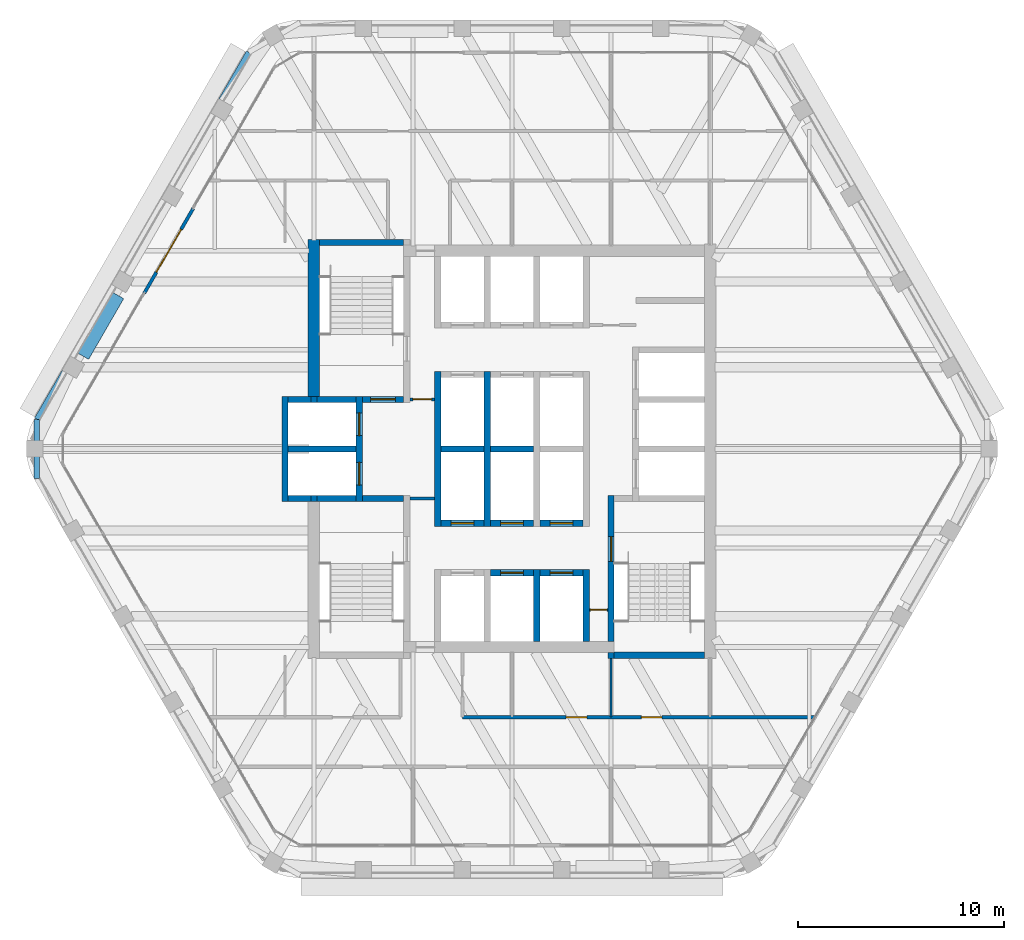
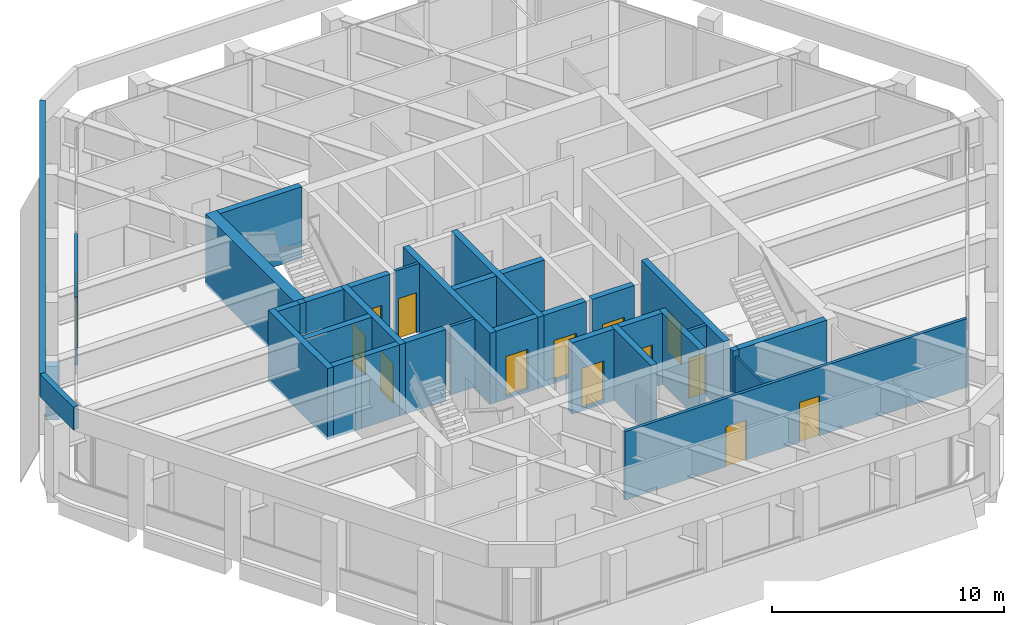
# One storey, part 8 of 14: 36 walls, 14 doors, 14 openings.
"""IFC4 building model written with IfcOpenShell, lengths in metres."""

from ifc_helpers import new_model, si_unit, direction, frame, frame_2d, origin, place, context, subcontext, project, spatial, rectangle, extrude, material, layer, layer_set, type_object, element, fill, save


model = new_model("IFC4")

# Units and contexts
model_context = context("Model", 3, precision=1e-05, world=origin(), true_north=direction((0.0, 1.0)))
body_context = subcontext(model_context, "Body", "Model", "MODEL_VIEW")
ifc_project = project(units=[si_unit("LENGTHUNIT", "METRE"), si_unit("AREAUNIT", "SQUARE_METRE"), si_unit("VOLUMEUNIT", "CUBIC_METRE"), si_unit("PLANEANGLEUNIT", "RADIAN"), si_unit("MASSUNIT", "GRAM", prefix="KILO")], contexts=[model_context])

# Site, building, storey
site_placement = place(None, origin())
site = spatial("IfcSite", under=ifc_project, at=site_placement, CompositionType="ELEMENT")
building_placement = place(site_placement, origin())
building = spatial("IfcBuilding", under=site, at=building_placement, Name="Kolab Exchange Tower", CompositionType="ELEMENT")
storey_placement = place(building_placement, frame((0.0, 0.0, 293.0)))
storey = spatial("IfcBuildingStorey", under=building, at=storey_placement, Name="L66", CompositionType="ELEMENT", Elevation=293.0)

# Wall
ifc_material_1 = material(Name="Concrete C50/60", Category="concrete")
ifc_layer_1 = layer(ifc_material_1, 0.550048828125)
ifc_layer_set_1 = layer_set([ifc_layer_1], Name="Concrete C50/60")
wall_type_1 = type_object("IfcWallType", Name="CORE WALL 550 C50/60", PredefinedType="SHEAR", material=ifc_layer_set_1)
wall_1_placement = place(storey_placement, frame((-9.60009765625, 2.550048828125, -0.14990234375), z_axis=(0.0, 0.0, 1.0), x_axis=(0.0, 1.0, 0.0)))
element("IfcWall", 1, at=wall_1_placement, inside=storey, type_object=wall_type_1, Name="wall/L66/core/037", PredefinedType="SHEAR", context=body_context, shape_type="SweptSolid", body=[
    extrude(rectangle(XDim=7.599853515625, YDim=0.550048828125, at=frame_2d((3.7998046875, 0.0))), origin(), (0.0, 0.0, 1.0), 3.75),
])

# Wall, opening, door
ifc_material_2 = material(Name="Aluminium EN AW-6063 T6", Category="aluminium")
ifc_layer_2 = layer(ifc_material_2, 0.159912109375)
ifc_layer_set_2 = layer_set([ifc_layer_2], Name="Aluminium EN AW-6063 T6")
wall_type_2 = type_object("IfcWallType", Name="DOOR SURROUND WALL 160 ALUMINIUM FRAMED", PredefinedType="PARTITIONING", material=ifc_layer_set_2)
wall_2_placement = place(storey_placement, frame((-17.816650390625, 7.5498046875, 0.0), z_axis=(0.0, 0.0, 1.0), x_axis=(0.499978080042, 0.866038058908, 0.0)))
wall_2 = element("IfcWall", 2, at=wall_2_placement, inside=storey, type_object=wall_type_2, Name="Door surround wall", PredefinedType="PARTITIONING", context=body_context, shape_type="SweptSolid", body=[
    extrude(rectangle(XDim=4.739990234375, YDim=0.159912109375, at=frame_2d((2.3701171875, 0.0))), origin(), (0.0, 0.0, 1.0), 3.60009765625),
])
opening_1_placement = place(wall_2_placement, frame((1.169921875, 0.0, 0.0)))
opening_1 = element("IfcOpeningElement", 3, at=opening_1_placement, cuts=wall_2, Name="Opening GD1-103", PredefinedType="OPENING", context=body_context, shape_type="SweptSolid", body=[
    extrude(rectangle(XDim=2.39990234375, YDim=2.39990234375, at=frame_2d((1.199951171875, 1.199951171875))), frame((0.0, 0.08984375, 0.0), z_axis=(0.0, -1.0, 0.0), x_axis=(1.0, 0.0, 0.0)), (0.0, 0.0, 1.0), 0.179931640625),
])
door_type_1 = type_object("IfcDoorType", Name="LOGGIA SLIDING GLASS DOOR 2400 X 2400", OperationType="DOUBLE_DOOR_SINGLE_SWING", PredefinedType="DOOR", material=ifc_material_2)
door_1_placement = place(opening_1_placement, origin())
door_1 = element("IfcDoor", 4, at=door_1_placement, inside=storey, type_object=door_type_1, Name="Loggia door", OperationType="DOUBLE_DOOR_SLIDING", OverallHeight=2.39990234375, OverallWidth=2.39990234375, PredefinedType="DOOR", context=body_context, shape_type="SweptSolid", body=[
    extrude(rectangle(XDim=2.39990234375, YDim=2.39990234375, at=frame_2d((1.199951171875, 1.199951171875))), frame((0.0, 0.02490234375, 0.0), z_axis=(0.0, -1.0, 0.0), x_axis=(1.0, 0.0, 0.0)), (0.0, 0.0, 1.0), 0.050048828125),
])
fill(opening_1, door_1)

ifc_layer_3 = layer(ifc_material_1, 0.300048828125)
ifc_layer_set_3 = layer_set([ifc_layer_3], Name="Concrete C50/60")
wall_type_3 = type_object("IfcWallType", Name="LIFT SHAFT WALL 300 C50/60", PredefinedType="STANDARD", material=ifc_layer_set_3)
wall_3_placement = place(storey_placement, frame((-1.050048828125, -6.0, -0.14990234375), z_axis=(0.0, 0.0, 1.0), x_axis=(1.0, 0.0, 0.0)))
wall_3 = element("IfcWall", 5, at=wall_3_placement, inside=storey, type_object=wall_type_3, Name="wall/L66/core/004", PredefinedType="STANDARD", context=body_context, shape_type="SweptSolid", body=[
    extrude(rectangle(XDim=2.10009765625, YDim=0.300048828125, at=frame_2d((1.050048828125, 0.0))), origin(), (0.0, 0.0, 1.0), 3.75),
])
opening_2_placement = place(wall_3_placement, frame((0.5, 0.0, 0.14990234375)))
opening_2 = element("IfcOpeningElement", 6, at=opening_2_placement, cuts=wall_3, Name="Opening LD1-123", PredefinedType="OPENING", context=body_context, shape_type="SweptSolid", body=[
    extrude(rectangle(XDim=1.10009765625, YDim=2.10009765625, at=frame_2d((0.550048828125, 1.050048828125))), frame((0.0, 0.16015625, 0.0), z_axis=(0.0, -1.0, 0.0), x_axis=(1.0, 0.0, 0.0)), (0.0, 0.0, 1.0), 0.320068359375),
])
ifc_material_3 = material(Name="Stainless steel 316", Category="steel")
door_type_2 = type_object("IfcDoorType", Name="LANDING DOOR 1100 PASSENGER", OperationType="DOUBLE_DOOR_SLIDING", PredefinedType="DOOR", material=ifc_material_3)
door_2_placement = place(opening_2_placement, origin())
door_2 = element("IfcDoor", 7, at=door_2_placement, inside=storey, type_object=door_type_2, Name="Landing door HR11", OperationType="DOUBLE_DOOR_SLIDING", OverallHeight=2.10009765625, OverallWidth=1.10009765625, PredefinedType="DOOR", context=body_context, shape_type="SweptSolid", body=[
    extrude(rectangle(XDim=1.10009765625, YDim=2.10009765625, at=frame_2d((0.550048828125, 1.050048828125))), frame((0.0, 0.02490234375, 0.0), z_axis=(0.0, -1.0, 0.0), x_axis=(1.0, 0.0, 0.0)), (0.0, 0.0, 1.0), 0.050048828125),
])
fill(opening_2, door_2)

wall_4_placement = place(storey_placement, frame((1.35009765625, -6.0, -0.14990234375), z_axis=(0.0, 0.0, 1.0), x_axis=(1.0, 0.0, 0.0)))
wall_4 = element("IfcWall", 8, at=wall_4_placement, inside=storey, type_object=wall_type_3, Name="wall/L66/core/005", PredefinedType="STANDARD", context=body_context, shape_type="SweptSolid", body=[
    extrude(rectangle(XDim=2.099853515625, YDim=0.300048828125, at=frame_2d((1.0498046875, 0.0))), origin(), (0.0, 0.0, 1.0), 3.75),
])
opening_3_placement = place(wall_4_placement, frame((0.5, 0.0, 0.14990234375)))
opening_3 = element("IfcOpeningElement", 9, at=opening_3_placement, cuts=wall_4, Name="Opening LD1-124", PredefinedType="OPENING", context=body_context, shape_type="SweptSolid", body=[
    extrude(rectangle(XDim=1.10009765625, YDim=2.10009765625, at=frame_2d((0.550048828125, 1.050048828125))), frame((0.0, 0.16015625, 0.0), z_axis=(0.0, -1.0, 0.0), x_axis=(1.0, 0.0, 0.0)), (0.0, 0.0, 1.0), 0.320068359375),
])
door_3_placement = place(opening_3_placement, origin())
door_3 = element("IfcDoor", 10, at=door_3_placement, inside=storey, type_object=door_type_2, Name="Landing door HR12", OperationType="DOUBLE_DOOR_SLIDING", OverallHeight=2.10009765625, OverallWidth=1.10009765625, PredefinedType="DOOR", context=body_context, shape_type="SweptSolid", body=[
    extrude(rectangle(XDim=1.10009765625, YDim=2.10009765625, at=frame_2d((0.550048828125, 1.050048828125))), frame((0.0, 0.02490234375, 0.0), z_axis=(0.0, -1.0, 0.0), x_axis=(1.0, 0.0, 0.0)), (0.0, 0.0, 1.0), 0.050048828125),
])
fill(opening_3, door_3)

wall_5_placement = place(storey_placement, frame((-3.449951171875, -3.60009765625, -0.14990234375), z_axis=(0.0, 0.0, 1.0), x_axis=(1.0, 0.0, 0.0)))
wall_5 = element("IfcWall", 11, at=wall_5_placement, inside=storey, type_object=wall_type_3, Name="wall/L66/core/006", PredefinedType="STANDARD", context=body_context, shape_type="SweptSolid", body=[
    extrude(rectangle(XDim=2.099853515625, YDim=0.300048828125, at=frame_2d((1.0498046875, 0.0))), origin(), (0.0, 0.0, 1.0), 3.75),
])
opening_4_placement = place(wall_5_placement, frame((0.5, 0.0, 0.14990234375)))
opening_4 = element("IfcOpeningElement", 12, at=opening_4_placement, cuts=wall_5, Name="Opening LD1-130", PredefinedType="OPENING", context=body_context, shape_type="SweptSolid", body=[
    extrude(rectangle(XDim=1.10009765625, YDim=2.10009765625, at=frame_2d((0.550048828125, 1.050048828125))), frame((0.0, 0.16015625, 0.0), z_axis=(0.0, -1.0, 0.0), x_axis=(1.0, 0.0, 0.0)), (0.0, 0.0, 1.0), 0.320068359375),
])
door_4_placement = place(opening_4_placement, origin())
door_4 = element("IfcDoor", 13, at=door_4_placement, inside=storey, type_object=door_type_2, Name="Landing door HR7", OperationType="DOUBLE_DOOR_SLIDING", OverallHeight=2.10009765625, OverallWidth=1.10009765625, PredefinedType="DOOR", context=body_context, shape_type="SweptSolid", body=[
    extrude(rectangle(XDim=1.10009765625, YDim=2.10009765625, at=frame_2d((0.550048828125, 1.050048828125))), frame((0.0, 0.02490234375, 0.0), z_axis=(0.0, -1.0, 0.0), x_axis=(1.0, 0.0, 0.0)), (0.0, 0.0, 1.0), 0.050048828125),
])
fill(opening_4, door_4)

wall_6_placement = place(storey_placement, frame((-1.050048828125, -3.60009765625, -0.14990234375), z_axis=(0.0, 0.0, 1.0), x_axis=(1.0, 0.0, 0.0)))
wall_6 = element("IfcWall", 14, at=wall_6_placement, inside=storey, type_object=wall_type_3, Name="wall/L66/core/007", PredefinedType="STANDARD", context=body_context, shape_type="SweptSolid", body=[
    extrude(rectangle(XDim=2.10009765625, YDim=0.300048828125, at=frame_2d((1.050048828125, 0.0))), origin(), (0.0, 0.0, 1.0), 3.75),
])
opening_5_placement = place(wall_6_placement, frame((0.5, 0.0, 0.14990234375)))
opening_5 = element("IfcOpeningElement", 15, at=opening_5_placement, cuts=wall_6, Name="Opening LD1-131", PredefinedType="OPENING", context=body_context, shape_type="SweptSolid", body=[
    extrude(rectangle(XDim=1.10009765625, YDim=2.10009765625, at=frame_2d((0.550048828125, 1.050048828125))), frame((0.0, 0.16015625, 0.0), z_axis=(0.0, -1.0, 0.0), x_axis=(1.0, 0.0, 0.0)), (0.0, 0.0, 1.0), 0.320068359375),
])
door_5_placement = place(opening_5_placement, origin())
door_5 = element("IfcDoor", 16, at=door_5_placement, inside=storey, type_object=door_type_2, Name="Landing door HR8", OperationType="DOUBLE_DOOR_SLIDING", OverallHeight=2.10009765625, OverallWidth=1.10009765625, PredefinedType="DOOR", context=body_context, shape_type="SweptSolid", body=[
    extrude(rectangle(XDim=1.10009765625, YDim=2.10009765625, at=frame_2d((0.550048828125, 1.050048828125))), frame((0.0, 0.02490234375, 0.0), z_axis=(0.0, -1.0, 0.0), x_axis=(1.0, 0.0, 0.0)), (0.0, 0.0, 1.0), 0.050048828125),
])
fill(opening_5, door_5)

wall_7_placement = place(storey_placement, frame((1.35009765625, -3.60009765625, -0.14990234375), z_axis=(0.0, 0.0, 1.0), x_axis=(1.0, 0.0, 0.0)))
wall_7 = element("IfcWall", 17, at=wall_7_placement, inside=storey, type_object=wall_type_3, Name="wall/L66/core/008", PredefinedType="STANDARD", context=body_context, shape_type="SweptSolid", body=[
    extrude(rectangle(XDim=2.099853515625, YDim=0.300048828125, at=frame_2d((1.0498046875, 0.0))), origin(), (0.0, 0.0, 1.0), 3.75),
])
opening_6_placement = place(wall_7_placement, frame((0.5, 0.0, 0.14990234375)))
opening_6 = element("IfcOpeningElement", 18, at=opening_6_placement, cuts=wall_7, Name="Opening LD1-132", PredefinedType="OPENING", context=body_context, shape_type="SweptSolid", body=[
    extrude(rectangle(XDim=1.10009765625, YDim=2.10009765625, at=frame_2d((0.550048828125, 1.050048828125))), frame((0.0, 0.16015625, 0.0), z_axis=(0.0, -1.0, 0.0), x_axis=(1.0, 0.0, 0.0)), (0.0, 0.0, 1.0), 0.320068359375),
])
door_6_placement = place(opening_6_placement, origin())
door_6 = element("IfcDoor", 19, at=door_6_placement, inside=storey, type_object=door_type_2, Name="Landing door HR9", OperationType="DOUBLE_DOOR_SLIDING", OverallHeight=2.10009765625, OverallWidth=1.10009765625, PredefinedType="DOOR", context=body_context, shape_type="SweptSolid", body=[
    extrude(rectangle(XDim=1.10009765625, YDim=2.10009765625, at=frame_2d((0.550048828125, 1.050048828125))), frame((0.0, 0.02490234375, 0.0), z_axis=(0.0, -1.0, 0.0), x_axis=(1.0, 0.0, 0.0)), (0.0, 0.0, 1.0), 0.050048828125),
])
fill(opening_6, door_6)

# Walls
wall_8_placement = place(storey_placement, frame((-10.85009765625, -2.39990234375, -0.14990234375), z_axis=(0.0, 0.0, 1.0), x_axis=(1.0, 0.0, 0.0)))
element("IfcWall", 20, at=wall_8_placement, inside=storey, type_object=wall_type_3, Name="wall/L66/core/009", PredefinedType="STANDARD", context=body_context, shape_type="SweptSolid", body=[
    extrude(rectangle(XDim=1.10009765625, YDim=0.300048828125, at=frame_2d((0.550048828125, 0.0))), origin(), (0.0, 0.0, 1.0), 3.75),
])
wall_9_placement = place(storey_placement, frame((-10.85009765625, 0.0, -0.14990234375), z_axis=(0.0, 0.0, 1.0), x_axis=(1.0, 0.0, 0.0)))
element("IfcWall", 21, at=wall_9_placement, inside=storey, type_object=wall_type_3, Name="wall/L66/core/014", PredefinedType="STANDARD", context=body_context, shape_type="SweptSolid", body=[
    extrude(rectangle(XDim=3.300048828125, YDim=0.300048828125, at=frame_2d((1.64990234375, 0.0))), origin(), (0.0, 0.0, 1.0), 3.75),
])
wall_10_placement = place(storey_placement, frame((-3.449951171875, 0.0, -0.14990234375), z_axis=(0.0, 0.0, 1.0), x_axis=(1.0, 0.0, 0.0)))
element("IfcWall", 22, at=wall_10_placement, inside=storey, type_object=wall_type_3, Name="wall/L66/core/015", PredefinedType="STANDARD", context=body_context, shape_type="SweptSolid", body=[
    extrude(rectangle(XDim=2.099853515625, YDim=0.300048828125, at=frame_2d((1.0498046875, 0.0))), origin(), (0.0, 0.0, 1.0), 3.75),
])
wall_11_placement = place(storey_placement, frame((-1.050048828125, 0.0, -0.14990234375), z_axis=(0.0, 0.0, 1.0), x_axis=(1.0, 0.0, 0.0)))
element("IfcWall", 23, at=wall_11_placement, inside=storey, type_object=wall_type_3, Name="wall/L66/core/016", PredefinedType="STANDARD", context=body_context, shape_type="SweptSolid", body=[
    extrude(rectangle(XDim=2.10009765625, YDim=0.300048828125, at=frame_2d((1.050048828125, 0.0))), origin(), (0.0, 0.0, 1.0), 3.75),
])
wall_12_placement = place(storey_placement, frame((-10.85009765625, 2.39990234375, -0.14990234375), z_axis=(0.0, 0.0, 1.0), x_axis=(1.0, 0.0, 0.0)))
element("IfcWall", 24, at=wall_12_placement, inside=storey, type_object=wall_type_3, Name="wall/L66/core/019", PredefinedType="STANDARD", context=body_context, shape_type="SweptSolid", body=[
    extrude(rectangle(XDim=1.10009765625, YDim=0.300048828125, at=frame_2d((0.550048828125, 0.0))), origin(), (0.0, 0.0, 1.0), 3.75),
])
wall_13_placement = place(storey_placement, frame((-11.0, -2.550048828125, -0.14990234375), z_axis=(0.0, 0.0, 1.0), x_axis=(0.0, 1.0, 0.0)))
element("IfcWall", 25, at=wall_13_placement, inside=storey, type_object=wall_type_3, Name="wall/L66/core/033", PredefinedType="STANDARD", context=body_context, shape_type="SweptSolid", body=[
    extrude(rectangle(XDim=5.10009765625, YDim=0.300048828125, at=frame_2d((2.550048828125, 0.0))), origin(), (0.0, 0.0, 1.0), 3.75),
])

# Wall, openings, doors
wall_14_placement = place(storey_placement, frame((-7.39990234375, -2.550048828125, -0.14990234375), z_axis=(0.0, 0.0, 1.0), x_axis=(0.0, 1.0, 0.0)))
wall_14 = element("IfcWall", 26, at=wall_14_placement, inside=storey, type_object=wall_type_3, Name="wall/L66/core/038", PredefinedType="STANDARD", context=body_context, shape_type="SweptSolid", body=[
    extrude(rectangle(XDim=5.10009765625, YDim=0.300048828125, at=frame_2d((2.550048828125, 0.0))), origin(), (0.0, 0.0, 1.0), 3.75),
])
opening_7_placement = place(wall_14_placement, frame((0.800048828125, 0.0, 0.14990234375)))
opening_7 = element("IfcOpeningElement", 27, at=opening_7_placement, cuts=wall_14, Name="Opening LD2-027", PredefinedType="OPENING", context=body_context, shape_type="SweptSolid", body=[
    extrude(rectangle(XDim=1.10009765625, YDim=2.10009765625, at=frame_2d((0.550048828125, 1.050048828125))), frame((0.0, 0.16015625, 0.0), z_axis=(0.0, -1.0, 0.0), x_axis=(1.0, 0.0, 0.0)), (0.0, 0.0, 1.0), 0.320068359375),
])
opening_8_placement = place(wall_14_placement, frame((3.199951171875, 0.0, 0.14990234375)))
opening_8 = element("IfcOpeningElement", 28, at=opening_8_placement, cuts=wall_14, Name="Opening LD2-028", PredefinedType="OPENING", context=body_context, shape_type="SweptSolid", body=[
    extrude(rectangle(XDim=1.10009765625, YDim=2.10009765625, at=frame_2d((0.550048828125, 1.050048828125))), frame((0.0, 0.16015625, 0.0), z_axis=(0.0, -1.0, 0.0), x_axis=(1.0, 0.0, 0.0)), (0.0, 0.0, 1.0), 0.320068359375),
])
door_type_3 = type_object("IfcDoorType", Name="LANDING DOOR 1100 FIREFIGHTING", OperationType="DOUBLE_DOOR_SLIDING", PredefinedType="DOOR", material=ifc_material_3)
door_7_placement = place(opening_7_placement, origin())
door_7 = element("IfcDoor", 29, at=door_7_placement, inside=storey, type_object=door_type_3, Name="Landing door FF1", OperationType="DOUBLE_DOOR_SLIDING", OverallHeight=2.10009765625, OverallWidth=1.10009765625, PredefinedType="DOOR", context=body_context, shape_type="SweptSolid", body=[
    extrude(rectangle(XDim=1.10009765625, YDim=2.10009765625, at=frame_2d((0.550048828125, 1.050048828125))), frame((0.0, 0.02490234375, 0.0), z_axis=(0.0, -1.0, 0.0), x_axis=(1.0, 0.0, 0.0)), (0.0, 0.0, 1.0), 0.050048828125),
])
fill(opening_7, door_7)
door_8_placement = place(opening_8_placement, origin())
door_8 = element("IfcDoor", 30, at=door_8_placement, inside=storey, type_object=door_type_3, Name="Landing door FF2", OperationType="DOUBLE_DOOR_SLIDING", OverallHeight=2.10009765625, OverallWidth=1.10009765625, PredefinedType="DOOR", context=body_context, shape_type="SweptSolid", body=[
    extrude(rectangle(XDim=1.10009765625, YDim=2.10009765625, at=frame_2d((0.550048828125, 1.050048828125))), frame((0.0, 0.02490234375, 0.0), z_axis=(0.0, -1.0, 0.0), x_axis=(1.0, 0.0, 0.0)), (0.0, 0.0, 1.0), 0.050048828125),
])
fill(opening_8, door_8)

# Walls
for number, where, z_axis, x_axis, name in (
    (31, (-3.60009765625, -3.75, -0.14990234375), (0.0, 0.0, 1.0), (0.0, 1.0, 0.0), "wall/L66/core/044"),
    (32, (-1.199951171875, -3.75, -0.14990234375), (0.0, 0.0, 1.0), (0.0, 1.0, 0.0), "wall/L66/core/047"),
):
    element("IfcWall", number, at=place(storey_placement, frame(where, z_axis=z_axis, x_axis=x_axis)), inside=storey, type_object=wall_type_3, Name=name, PredefinedType="STANDARD", context=body_context, shape_type="SweptSolid", body=[
        extrude(rectangle(XDim=7.5, YDim=0.300048828125, at=frame_2d((3.75, 0.0))), origin(), (0.0, 0.0, 1.0), 3.75),
    ])
for number, where, z_axis, x_axis, name in (
    (33, (1.199951171875, -9.324951171875, -0.14990234375), (0.0, 0.0, 1.0), (0.0, 1.0, 0.0), "wall/L66/core/049"),
    (34, (3.60009765625, -9.324951171875, -0.14990234375), (0.0, 0.0, 1.0), (0.0, 1.0, 0.0), "wall/L66/core/052"),
):
    element("IfcWall", number, at=place(storey_placement, frame(where, z_axis=z_axis, x_axis=x_axis)), inside=storey, type_object=wall_type_3, Name=name, PredefinedType="STANDARD", context=body_context, shape_type="SweptSolid", body=[
        extrude(rectangle(XDim=3.474853515625, YDim=0.300048828125, at=frame_2d((1.7373046875, 0.0))), origin(), (0.0, 0.0, 1.0), 3.75),
    ])
ifc_material_4 = material(Name="Gypsum board", Category="gypsum")
ifc_layer_4 = layer(ifc_material_4, 0.10009765625)
ifc_layer_set_4 = layer_set([ifc_layer_4], Name="Gypsum board")
wall_type_4 = type_object("IfcWallType", Name="PARTITION 100", PredefinedType="PARTITIONING", material=ifc_layer_set_4)
wall_15_placement = place(storey_placement, frame((4.800048828125, -13.0, 0.0), z_axis=(0.0, 0.0, 1.0), x_axis=(0.0, 1.0, 0.0)))
element("IfcWall", 35, at=wall_15_placement, inside=storey, type_object=wall_type_4, Name="Partition 005", PredefinedType="PARTITIONING", context=body_context, shape_type="SweptSolid", body=[
    extrude(rectangle(XDim=2.85009765625, YDim=0.10009765625, at=frame_2d((1.425048828125, 0.0))), origin(), (0.0, 0.0, 1.0), 3.2900390625),
])

# Wall, openings, doors
ifc_layer_5 = layer(ifc_material_4, 0.14990234375)
ifc_layer_set_5 = layer_set([ifc_layer_5], Name="Gypsum board")
wall_type_5 = type_object("IfcWallType", Name="PARTITION 150 FIRE-RATED", PredefinedType="PARTITIONING", material=ifc_layer_set_5)
wall_16_placement = place(storey_placement, frame((-2.39990234375, -13.0, 0.0), z_axis=(0.0, 0.0, 1.0), x_axis=(1.0, 0.0, 0.0)))
wall_16 = element("IfcWall", 36, at=wall_16_placement, inside=storey, type_object=wall_type_5, Name="Partition 020", PredefinedType="PARTITIONING", context=body_context, shape_type="SweptSolid", body=[
    extrude(rectangle(XDim=17.023681640625, YDim=0.14990234375, at=frame_2d((8.51171875, 0.0))), origin(), (0.0, 0.0, 1.0), 3.60009765625),
])
opening_9_placement = place(wall_16_placement, frame((5.02490234375, 0.0, 0.0)))
opening_9 = element("IfcOpeningElement", 37, at=opening_9_placement, cuts=wall_16, Name="Opening D1-770", PredefinedType="OPENING", context=body_context, shape_type="SweptSolid", body=[
    extrude(rectangle(XDim=1.0, YDim=2.10009765625, at=frame_2d((0.5, 1.050048828125))), frame((0.0, 0.0849609375, 0.0), z_axis=(0.0, -1.0, 0.0), x_axis=(1.0, 0.0, 0.0)), (0.0, 0.0, 1.0), 0.169921875),
])
opening_10_placement = place(wall_16_placement, frame((8.6650390625, 0.0, 0.0)))
opening_10 = element("IfcOpeningElement", 38, at=opening_10_placement, cuts=wall_16, Name="Opening D1-771", PredefinedType="OPENING", context=body_context, shape_type="SweptSolid", body=[
    extrude(rectangle(XDim=1.0, YDim=2.10009765625, at=frame_2d((0.5, 1.050048828125))), frame((0.0, 0.0849609375, 0.0), z_axis=(0.0, -1.0, 0.0), x_axis=(1.0, 0.0, 0.0)), (0.0, 0.0, 1.0), 0.169921875),
])
ifc_material_5 = material(Name="Steel S235", Category="steel")
door_type_4 = type_object("IfcDoorType", Name="FLUSH DOOR 1000 FD60", OperationType="SINGLE_SWING_LEFT", PredefinedType="DOOR", material=ifc_material_5)
door_9_placement = place(opening_9_placement, origin())
door_9 = element("IfcDoor", 39, at=door_9_placement, inside=storey, type_object=door_type_4, Name="Door L66-036", OperationType="SINGLE_SWING_RIGHT", OverallHeight=2.10009765625, OverallWidth=1.0, PredefinedType="DOOR", context=body_context, shape_type="SweptSolid", body=[
    extrude(rectangle(XDim=1.0, YDim=2.10009765625, at=frame_2d((0.5, 1.050048828125))), frame((0.0, 0.02490234375, 0.0), z_axis=(0.0, -1.0, 0.0), x_axis=(1.0, 0.0, 0.0)), (0.0, 0.0, 1.0), 0.050048828125),
])
fill(opening_9, door_9)
door_10_placement = place(opening_10_placement, origin())
door_10 = element("IfcDoor", 40, at=door_10_placement, inside=storey, type_object=door_type_4, Name="Door L66-037", OperationType="SINGLE_SWING_LEFT", OverallHeight=2.10009765625, OverallWidth=1.0, PredefinedType="DOOR", context=body_context, shape_type="SweptSolid", body=[
    extrude(rectangle(XDim=1.0, YDim=2.10009765625, at=frame_2d((0.5, 1.050048828125))), frame((0.0, 0.02490234375, 0.0), z_axis=(0.0, -1.0, 0.0), x_axis=(1.0, 0.0, 0.0)), (0.0, 0.0, 1.0), 0.050048828125),
])
fill(opening_10, door_10)

# Wall, opening, door
wall_17_placement = place(storey_placement, frame((3.75, -7.800048828125, 0.0), z_axis=(0.0, 0.0, 1.0), x_axis=(1.0, 0.0, 0.0)))
wall_17 = element("IfcWall", 41, at=wall_17_placement, inside=storey, type_object=wall_type_5, Name="Partition 021", PredefinedType="PARTITIONING", context=body_context, shape_type="SweptSolid", body=[
    extrude(rectangle(XDim=0.89990234375, YDim=0.14990234375, at=frame_2d((0.449951171875, 0.0))), origin(), (0.0, 0.0, 1.0), 3.60009765625),
])
opening_11_placement = place(wall_17_placement, frame((0.050048828125, 0.0, 0.0)))
opening_11 = element("IfcOpeningElement", 42, at=opening_11_placement, cuts=wall_17, Name="Opening D7-043", PredefinedType="OPENING", context=body_context, shape_type="SweptSolid", body=[
    extrude(rectangle(XDim=0.800048828125, YDim=2.10009765625, at=frame_2d((0.39990234375, 1.050048828125))), frame((0.0, 0.0849609375, 0.0), z_axis=(0.0, -1.0, 0.0), x_axis=(1.0, 0.0, 0.0)), (0.0, 0.0, 1.0), 0.169921875),
])
door_type_5 = type_object("IfcDoorType", Name="FLUSH DOOR 800 FD60", OperationType="SINGLE_SWING_LEFT", PredefinedType="DOOR", material=ifc_material_5)
door_11_placement = place(opening_11_placement, frame((0.800048828125, 0.0, 0.0), z_axis=(0.0, 0.0, 1.0), x_axis=(-1.0, 0.0, 0.0)))
door_11 = element("IfcDoor", 43, at=door_11_placement, inside=storey, type_object=door_type_5, Name="Door L66-024", OperationType="SINGLE_SWING_RIGHT", OverallHeight=2.10009765625, OverallWidth=0.800048828125, PredefinedType="DOOR", context=body_context, shape_type="SweptSolid", body=[
    extrude(rectangle(XDim=0.800048828125, YDim=2.10009765625, at=frame_2d((0.39990234375, 1.050048828125))), frame((0.0, 0.02490234375, 0.0), z_axis=(0.0, -1.0, 0.0), x_axis=(1.0, 0.0, 0.0)), (0.0, 0.0, 1.0), 0.050048828125),
])
fill(opening_11, door_11)

wall_18_placement = place(storey_placement, frame((-4.949951171875, 2.39990234375, 0.0), z_axis=(0.0, 0.0, 1.0), x_axis=(1.0, 0.0, 0.0)))
wall_18 = element("IfcWall", 44, at=wall_18_placement, inside=storey, type_object=wall_type_5, Name="Fire partition", PredefinedType="PARTITIONING", context=body_context, shape_type="SweptSolid", body=[
    extrude(rectangle(XDim=1.199951171875, YDim=0.14990234375, at=frame_2d((0.60009765625, 0.0))), origin(), (0.0, 0.0, 1.0), 3.60009765625),
])
opening_12_placement = place(wall_18_placement, frame((0.14990234375, 0.0, 0.0)))
opening_12 = element("IfcOpeningElement", 45, at=opening_12_placement, cuts=wall_18, Name="Opening D6-292", PredefinedType="OPENING", context=body_context, shape_type="SweptSolid", body=[
    extrude(rectangle(XDim=0.89990234375, YDim=2.10009765625, at=frame_2d((0.449951171875, 1.050048828125))), frame((0.0, 0.0849609375, 0.0), z_axis=(0.0, -1.0, 0.0), x_axis=(1.0, 0.0, 0.0)), (0.0, 0.0, 1.0), 0.169921875),
])
door_type_6 = type_object("IfcDoorType", Name="CORE DOOR 900 EI 120", OperationType="SINGLE_SWING_LEFT", PredefinedType="DOOR", material=ifc_material_5)
door_12_placement = place(opening_12_placement, frame((0.89990234375, 0.0, 0.0), z_axis=(0.0, 0.0, 1.0), x_axis=(-1.0, 0.0, 0.0)))
door_12 = element("IfcDoor", 46, at=door_12_placement, inside=storey, type_object=door_type_6, Name="Firefighting lobby door", OperationType="SINGLE_SWING_RIGHT", OverallHeight=2.10009765625, OverallWidth=0.89990234375, PredefinedType="DOOR", context=body_context, shape_type="SweptSolid", body=[
    extrude(rectangle(XDim=0.89990234375, YDim=2.10009765625, at=frame_2d((0.449951171875, 1.050048828125))), frame((0.0, 0.02490234375, 0.0), z_axis=(0.0, -1.0, 0.0), x_axis=(1.0, 0.0, 0.0)), (0.0, 0.0, 1.0), 0.050048828125),
])
fill(opening_12, door_12)

# Walls
wall_19_placement = place(storey_placement, frame((-4.949951171875, -2.39990234375, 0.0), z_axis=(0.0, 0.0, 1.0), x_axis=(1.0, 0.0, 0.0)))
element("IfcWall", 47, at=wall_19_placement, inside=storey, type_object=wall_type_5, Name="Fire partition", PredefinedType="PARTITIONING", context=body_context, shape_type="SweptSolid", body=[
    extrude(rectangle(XDim=1.199951171875, YDim=0.14990234375, at=frame_2d((0.60009765625, 0.0))), origin(), (0.0, 0.0, 1.0), 3.60009765625),
])
ifc_material_6 = material(Name="Granite facing", Category="masonry")
ifc_layer_6 = layer(ifc_material_6, 0.0400390625)
ifc_material_7 = material(Name="Concrete C40/50 precast", Category="concrete")
ifc_layer_7 = layer(ifc_material_7, 0.56005859375)
ifc_layer_set_6 = layer_set([ifc_layer_6, ifc_layer_7], Name="Concrete C40/50 precast")
wall_type_6 = type_object("IfcWallType", Name="PLANTER BOX 600 X 700 SOIL DEPTH 550", PredefinedType="USERDEFINED", material=ifc_layer_set_6)
wall_20_placement = place(storey_placement, frame((-20.774169921875, 4.48828125, 0.0), z_axis=(0.0, 0.0, 1.0), x_axis=(0.499977295307, 0.866038511948, 0.0)))
element("IfcWall", 48, at=wall_20_placement, inside=storey, type_object=wall_type_6, Name="Planter", ObjectType="PLANTER", PredefinedType="USERDEFINED", context=body_context, shape_type="SweptSolid", body=[
    extrude(rectangle(XDim=3.400146484375, YDim=0.60009765625, at=frame_2d((1.7001953125, 0.0))), origin(), (0.0, 0.0, 1.0), 0.699951171875),
])
ifc_layer_8 = layer(ifc_material_6, 0.0400390625)
ifc_layer_9 = layer(ifc_material_7, 0.2099609375)
ifc_layer_set_7 = layer_set([ifc_layer_8, ifc_layer_9], Name="Concrete C40/50 precast")
wall_type_7 = type_object("IfcWallType", Name="ROOF PARAPET 250", PredefinedType="PARAPET", material=ifc_layer_set_7)
wall_21_placement = place(storey_placement, frame((-23.025634765625, -1.4375, 3.89990234375), z_axis=(0.0, 0.0, 1.0), x_axis=(0.0, 1.0, 0.0)))
element("IfcWall", 49, at=wall_21_placement, inside=storey, type_object=wall_type_7, Name="Roof parapet", PredefinedType="PARAPET", context=body_context, shape_type="SweptSolid", body=[
    extrude(rectangle(XDim=2.875, YDim=0.25, at=frame_2d((1.4375, 0.0))), origin(), (0.0, 0.0, 1.0), 1.2001953125),
])
wall_22_placement = place(storey_placement, frame((-23.025634765625, 1.4375, 3.89990234375), z_axis=(0.0, 0.0, 1.0), x_axis=(0.499994135611, 0.866028789565, 0.0)))
element("IfcWall", 50, at=wall_22_placement, inside=storey, type_object=wall_type_7, Name="Roof parapet", PredefinedType="PARAPET", context=body_context, shape_type="SweptSolid", body=[
    extrude(rectangle(XDim=20.535888671875, YDim=0.25, at=frame_2d((10.26806640625, 0.0))), origin(), (0.0, 0.0, 1.0), 1.2001953125),
])
ifc_layer_10 = layer(ifc_material_1, 0.300048828125)
ifc_layer_set_8 = layer_set([ifc_layer_10], Name="Concrete C50/60")
wall_type_8 = type_object("IfcWallType", Name="STAIR ENCLOSURE WALL 300 C50/60", PredefinedType="STANDARD", material=ifc_layer_set_8)
wall_23_placement = place(storey_placement, frame((4.949951171875, -10.0, -0.14990234375), z_axis=(0.0, 0.0, 1.0), x_axis=(1.0, 0.0, 0.0)))
element("IfcWall", 51, at=wall_23_placement, inside=storey, type_object=wall_type_8, Name="wall/L66/core/001", PredefinedType="STANDARD", context=body_context, shape_type="SweptSolid", body=[
    extrude(rectangle(XDim=4.375, YDim=0.300048828125, at=frame_2d((2.1875, 0.0))), origin(), (0.0, 0.0, 1.0), 3.75),
])
wall_24_placement = place(storey_placement, frame((-9.449951171875, -2.39990234375, -0.14990234375), z_axis=(0.0, 0.0, 1.0), x_axis=(1.0, 0.0, 0.0)))
element("IfcWall", 52, at=wall_24_placement, inside=storey, type_object=wall_type_8, Name="wall/L66/core/010", PredefinedType="STANDARD", context=body_context, shape_type="SweptSolid", body=[
    extrude(rectangle(XDim=1.89990234375, YDim=0.300048828125, at=frame_2d((0.949951171875, 0.0))), origin(), (0.0, 0.0, 1.0), 3.75),
])
wall_25_placement = place(storey_placement, frame((-7.25, -2.39990234375, -0.14990234375), z_axis=(0.0, 0.0, 1.0), x_axis=(1.0, 0.0, 0.0)))
element("IfcWall", 53, at=wall_25_placement, inside=storey, type_object=wall_type_8, Name="wall/L66/core/011", PredefinedType="STANDARD", context=body_context, shape_type="SweptSolid", body=[
    extrude(rectangle(XDim=2.0, YDim=0.300048828125, at=frame_2d((1.0, 0.0))), origin(), (0.0, 0.0, 1.0), 3.75),
])
wall_26_placement = place(storey_placement, frame((-9.449951171875, 2.39990234375, -0.14990234375), z_axis=(0.0, 0.0, 1.0), x_axis=(1.0, 0.0, 0.0)))
element("IfcWall", 54, at=wall_26_placement, inside=storey, type_object=wall_type_8, Name="wall/L66/core/020", PredefinedType="STANDARD", context=body_context, shape_type="SweptSolid", body=[
    extrude(rectangle(XDim=1.89990234375, YDim=0.300048828125, at=frame_2d((0.949951171875, 0.0))), origin(), (0.0, 0.0, 1.0), 3.75),
])

# Wall, opening, door
wall_27_placement = place(storey_placement, frame((-7.25, 2.39990234375, -0.14990234375), z_axis=(0.0, 0.0, 1.0), x_axis=(1.0, 0.0, 0.0)))
wall_27 = element("IfcWall", 55, at=wall_27_placement, inside=storey, type_object=wall_type_8, Name="wall/L66/core/021", PredefinedType="STANDARD", context=body_context, shape_type="SweptSolid", body=[
    extrude(rectangle(XDim=2.0, YDim=0.300048828125, at=frame_2d((1.0, 0.0))), origin(), (0.0, 0.0, 1.0), 3.75),
])
opening_13_placement = place(wall_27_placement, frame((0.39990234375, 0.0, 0.14990234375)))
opening_13 = element("IfcOpeningElement", 56, at=opening_13_placement, cuts=wall_27, Name="Opening D4-069", PredefinedType="OPENING", context=body_context, shape_type="SweptSolid", body=[
    extrude(rectangle(XDim=1.199951171875, YDim=2.10009765625, at=frame_2d((0.60009765625, 1.050048828125))), frame((0.0, 0.16015625, 0.0), z_axis=(0.0, -1.0, 0.0), x_axis=(1.0, 0.0, 0.0)), (0.0, 0.0, 1.0), 0.320068359375),
])
door_type_7 = type_object("IfcDoorType", Name="STAIR DOOR 1200 EI 120", OperationType="SINGLE_SWING_LEFT", PredefinedType="DOOR", material=ifc_material_5)
door_13_placement = place(opening_13_placement, origin())
door_13 = element("IfcDoor", 57, at=door_13_placement, inside=storey, type_object=door_type_7, Name="Stair 1 door", OperationType="SINGLE_SWING_RIGHT", OverallHeight=2.10009765625, OverallWidth=1.199951171875, PredefinedType="DOOR", context=body_context, shape_type="SweptSolid", body=[
    extrude(rectangle(XDim=1.199951171875, YDim=2.10009765625, at=frame_2d((0.60009765625, 1.050048828125))), frame((0.0, 0.02490234375, 0.0), z_axis=(0.0, -1.0, 0.0), x_axis=(1.0, 0.0, 0.0)), (0.0, 0.0, 1.0), 0.050048828125),
])
fill(opening_13, door_13)

# Walls
wall_28_placement = place(storey_placement, frame((-9.324951171875, 10.0, -0.14990234375), z_axis=(0.0, 0.0, 1.0), x_axis=(1.0, 0.0, 0.0)))
element("IfcWall", 58, at=wall_28_placement, inside=storey, type_object=wall_type_8, Name="wall/L66/core/032", PredefinedType="STANDARD", context=body_context, shape_type="SweptSolid", body=[
    extrude(rectangle(XDim=4.074951171875, YDim=0.300048828125, at=frame_2d((2.03759765625, 0.0))), origin(), (0.0, 0.0, 1.0), 3.75),
])
for number, where, z_axis, x_axis, name in (
    (59, (-9.60009765625, -2.550048828125, -0.14990234375), (0.0, 0.0, 1.0), (0.0, 1.0, 0.0), "wall/L66/core/035"),
    (60, (-9.60009765625, 2.25, -0.14990234375), (0.0, 0.0, 1.0), (0.0, 1.0, 0.0), "wall/L66/core/036"),
):
    element("IfcWall", number, at=place(storey_placement, frame(where, z_axis=z_axis, x_axis=x_axis)), inside=storey, type_object=wall_type_8, Name=name, PredefinedType="STANDARD", context=body_context, shape_type="SweptSolid", body=[
        extrude(rectangle(XDim=0.300048828125, YDim=0.300048828125, at=frame_2d((0.14990234375, 0.0))), origin(), (0.0, 0.0, 1.0), 3.75),
    ])
wall_29_placement = place(storey_placement, frame((4.800048828125, -10.14990234375, -0.14990234375), z_axis=(0.0, 0.0, 1.0), x_axis=(0.0, 1.0, 0.0)))
element("IfcWall", 61, at=wall_29_placement, inside=storey, type_object=wall_type_8, Name="wall/L66/core/055", PredefinedType="STANDARD", context=body_context, shape_type="SweptSolid", body=[
    extrude(rectangle(XDim=0.27490234375, YDim=0.300048828125, at=frame_2d((0.137451171875, 0.0))), origin(), (0.0, 0.0, 1.0), 3.75),
])

# Wall, opening, door
wall_30_placement = place(storey_placement, frame((4.800048828125, -9.324951171875, -0.14990234375), z_axis=(0.0, 0.0, 1.0), x_axis=(0.0, 1.0, 0.0)))
wall_30 = element("IfcWall", 62, at=wall_30_placement, inside=storey, type_object=wall_type_8, Name="wall/L66/core/056", PredefinedType="STANDARD", context=body_context, shape_type="SweptSolid", body=[
    extrude(rectangle(XDim=7.074951171875, YDim=0.300048828125, at=frame_2d((3.53759765625, 0.0))), origin(), (0.0, 0.0, 1.0), 3.75),
])
opening_14_placement = place(wall_30_placement, frame((3.875, 0.0, 0.14990234375)))
opening_14 = element("IfcOpeningElement", 63, at=opening_14_placement, cuts=wall_30, Name="Opening D4-080", PredefinedType="OPENING", context=body_context, shape_type="SweptSolid", body=[
    extrude(rectangle(XDim=1.199951171875, YDim=2.10009765625, at=frame_2d((0.60009765625, 1.050048828125))), frame((0.0, 0.16015625, 0.0), z_axis=(0.0, -1.0, 0.0), x_axis=(1.0, 0.0, 0.0)), (0.0, 0.0, 1.0), 0.320068359375),
])
door_14_placement = place(opening_14_placement, frame((1.199951171875, 0.0, 0.0), z_axis=(0.0, 0.0, 1.0), x_axis=(-1.0, 0.0, 0.0)))
door_14 = element("IfcDoor", 64, at=door_14_placement, inside=storey, type_object=door_type_7, Name="Stair 2 door", OperationType="SINGLE_SWING_RIGHT", OverallHeight=2.10009765625, OverallWidth=1.199951171875, PredefinedType="DOOR", context=body_context, shape_type="SweptSolid", body=[
    extrude(rectangle(XDim=1.199951171875, YDim=2.10009765625, at=frame_2d((0.60009765625, 1.050048828125))), frame((0.0, 0.02490234375, 0.0), z_axis=(0.0, -1.0, 0.0), x_axis=(1.0, 0.0, 0.0)), (0.0, 0.0, 1.0), 0.050048828125),
])
fill(opening_14, door_14)

save(model, "model.ifc")
